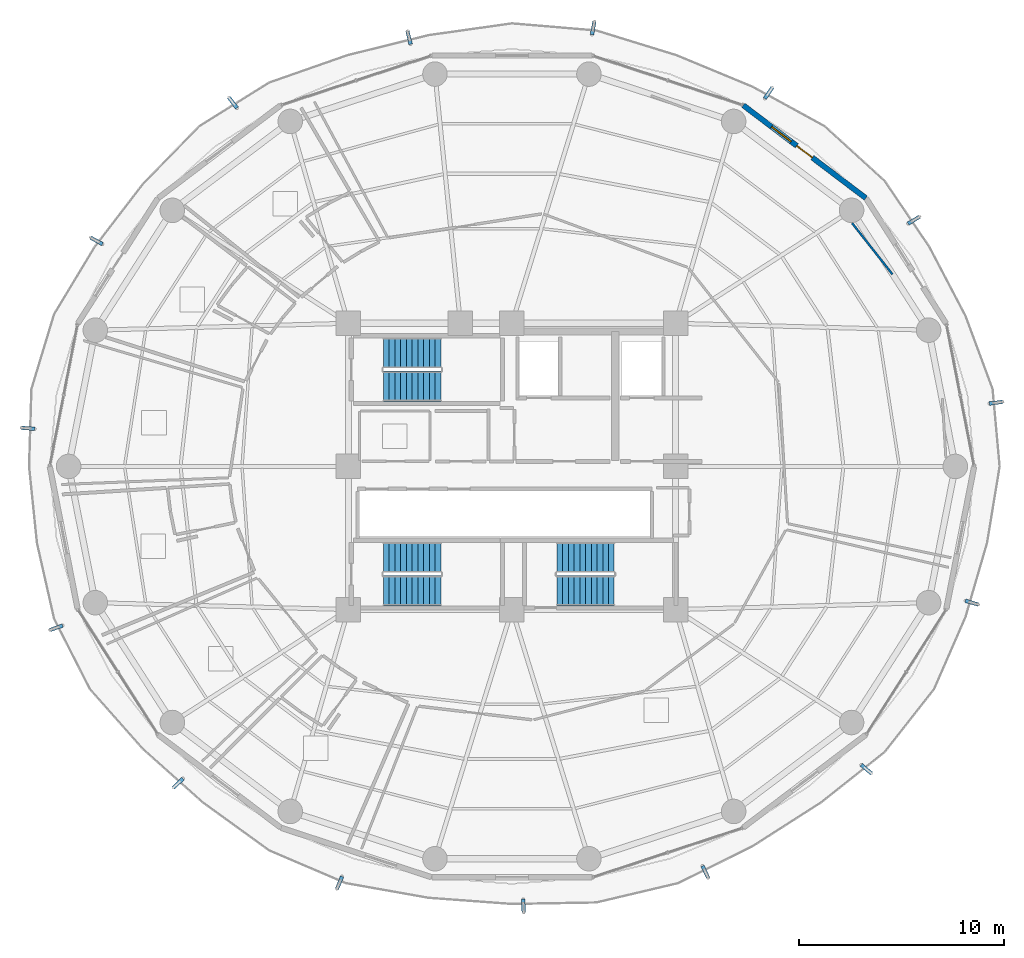
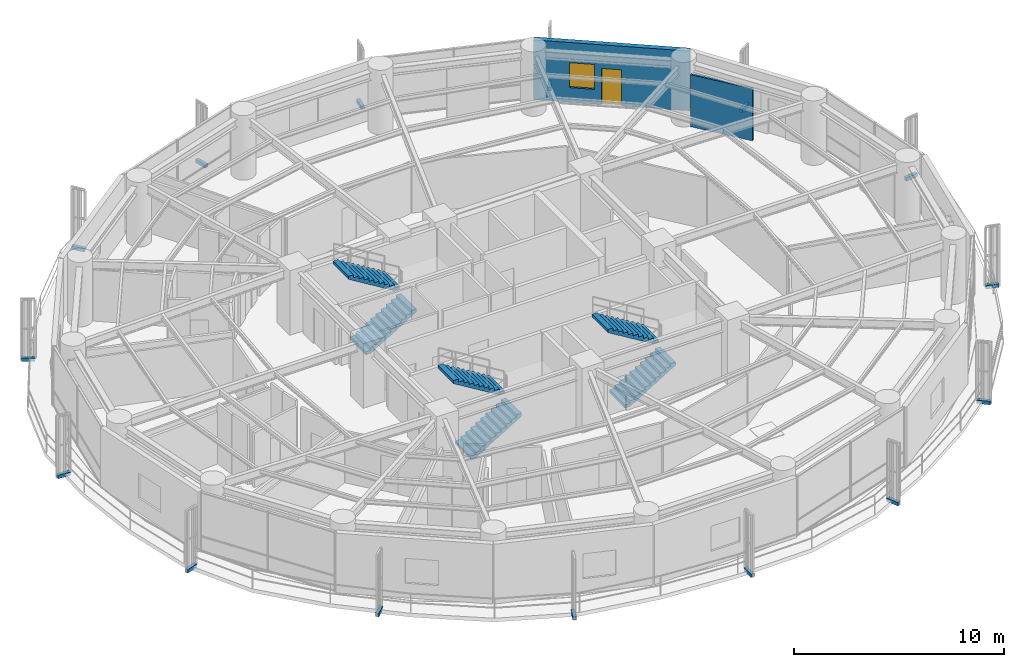
# One storey, part 24 of 27: 15 discrete accessories, 6 stair flights, 2 walls, 1 door, 1 window, 2 openings, 3 elements without a shape of their own.
"""IFC4 building model written with IfcOpenShell, lengths in metres."""

from ifc_helpers import new_model, si_unit, direction, frame, frame_2d, origin, origin_2d, place, context, subcontext, project, spatial, polyline, rectangle, outline, extrude, source, transform, mapped, material, layer, layer_set, type_object, element, fill, aggregate, save


model = new_model("IFC4")

# Units and contexts
model_context = context("Model", 3, precision=1e-05, world=origin(), true_north=direction((0.0, 1.0)))
body_context = subcontext(model_context, "Body", "Model", "MODEL_VIEW")
ifc_project = project(units=[si_unit("LENGTHUNIT", "METRE"), si_unit("AREAUNIT", "SQUARE_METRE"), si_unit("VOLUMEUNIT", "CUBIC_METRE"), si_unit("PLANEANGLEUNIT", "RADIAN"), si_unit("MASSUNIT", "GRAM", prefix="KILO")], contexts=[model_context])

# Site, building, storey
site_placement = place(None, origin())
site = spatial("IfcSite", under=ifc_project, at=site_placement, CompositionType="ELEMENT")
building_placement = place(site_placement, origin())
building = spatial("IfcBuilding", under=site, at=building_placement, Name="Kelanora Arch Commons", CompositionType="ELEMENT")
storey_placement = place(building_placement, frame((0.0, 0.0, 150.60009765625)))
storey = spatial("IfcBuildingStorey", under=building, at=storey_placement, Name="L38", CompositionType="ELEMENT", Elevation=150.60009765625)

# Wall, openings, door, window
ifc_material_1 = material(Name="Precast concrete C40/50 with terracotta rainscreen", Category="masonry")
ifc_layer_1 = layer(ifc_material_1, 0.260009765625)
ifc_layer_set_1 = layer_set([ifc_layer_1], Name="Precast concrete C40/50 with terracotta rainscreen")
wall_type_1 = type_object("IfcWallType", Name="W-EXT-TC", PredefinedType="SOLIDWALL", material=ifc_layer_set_1)
wall_1_placement = place(storey_placement, frame((91.300537109375, 71.1220703125, 0.0), z_axis=(0.0, 0.0, 1.0), x_axis=(-0.797163719609, 0.603763202042, 0.0)))
wall_1 = element("IfcWall", 1, at=wall_1_placement, inside=storey, type_object=wall_type_1, Name="Terracotta Exterior Wall L38-B02", PredefinedType="SOLIDWALL", context=body_context, shape_type="SweptSolid", body=[
    extrude(rectangle(XDim=7.51220703125, YDim=0.260009765625, at=frame_2d((3.756103515625, 0.0))), origin(), (0.0, 0.0, 1.0), 3.474853515625),
])
opening_1_placement = place(wall_1_placement, frame((3.281005859375, 0.0, 0.0)))
opening_1 = element("IfcOpeningElement", 2, at=opening_1_placement, cuts=wall_1, Name="Opening DB-01", PredefinedType="OPENING", context=body_context, shape_type="SweptSolid", body=[
    extrude(rectangle(XDim=0.949951171875, YDim=2.10009765625, at=frame_2d((0.47509765625, 1.050048828125))), frame((0.0, 0.14013671875, 0.0), z_axis=(0.0, -1.0, 0.0), x_axis=(1.0, 0.0, 0.0)), (0.0, 0.0, 1.0), 0.280029296875),
])
opening_2_placement = place(wall_1_placement, frame((4.5810546875, 0.0, 0.85009765625)))
opening_2 = element("IfcOpeningElement", 3, at=opening_2_placement, cuts=wall_1, Name="Opening WN-02", PredefinedType="OPENING", context=body_context, shape_type="SweptSolid", body=[
    extrude(rectangle(XDim=1.199951171875, YDim=1.449951171875, at=frame_2d((0.60009765625, 0.72509765625))), frame((0.0, 0.14013671875, 0.0), z_axis=(0.0, -1.0, 0.0), x_axis=(1.0, 0.0, 0.0)), (0.0, 0.0, 1.0), 0.280029296875),
])
ifc_material_2 = material(Name="Terracotta-aluminium thermally broken glazed balcony door", Category="masonry")
door_type = type_object("IfcDoorType", Name="D-BAL-10", OperationType="NOTDEFINED", PredefinedType="DOOR", material=ifc_material_2)
door_placement = place(opening_1_placement, frame((0.949951171875, 0.0, 0.0), z_axis=(0.0, 0.0, 1.0), x_axis=(-1.0, 0.0, 0.0)))
door = element("IfcDoor", 4, at=door_placement, inside=storey, type_object=door_type, Name="Wave Balcony Door L38-B02", OperationType="SINGLE_SWING_LEFT", OverallHeight=2.10009765625, OverallWidth=0.949951171875, PredefinedType="DOOR", context=body_context, shape_type="SweptSolid", body=[
    extrude(rectangle(XDim=0.949951171875, YDim=2.10009765625, at=frame_2d((0.47509765625, 1.050048828125))), frame((0.0, 0.02490234375, 0.0), z_axis=(0.0, -1.0, 0.0), x_axis=(1.0, 0.0, 0.0)), (0.0, 0.0, 1.0), 0.050048828125),
])
fill(opening_1, door)
ifc_material_3 = material(Name="Terracotta-anodised aluminium frame with operable awning sash", Category="masonry")
window_type = type_object("IfcWindowType", Name="WIN-CL-12", PartitioningType="SINGLE_PANEL", PredefinedType="WINDOW", material=ifc_material_3)
window_placement = place(opening_2_placement, origin())
window = element("IfcWindow", 5, at=window_placement, inside=storey, type_object=window_type, Name="Co-Living Operable Window L38-B02", OverallHeight=1.449951171875, OverallWidth=1.199951171875, PartitioningType="SINGLE_PANEL", PredefinedType="WINDOW", context=body_context, shape_type="SweptSolid", body=[
    extrude(rectangle(XDim=1.199951171875, YDim=1.449951171875, at=frame_2d((0.60009765625, 0.72509765625))), frame((0.0, 0.030029296875, 0.0), z_axis=(0.0, -1.0, 0.0), x_axis=(1.0, 0.0, 0.0)), (0.0, 0.0, 1.0), 0.06005859375),
])
fill(opening_2, window)

# Wall
ifc_material_4 = material(Name="Lightweight fire-rated acoustic stud partition")
ifc_layer_2 = layer(ifc_material_4, 0.10009765625)
ifc_layer_set_2 = layer_set([ifc_layer_2], Name="Lightweight fire-rated acoustic stud partition")
wall_type_2 = type_object("IfcWallType", Name="W-PART-100", PredefinedType="PARTITIONING", material=ifc_layer_set_2)
wall_2_placement = place(storey_placement, frame((90.6318359375, 69.89697265625, 0.0), z_axis=(0.0, 0.0, 1.0), x_axis=(0.619174528799, -0.78525340043, 0.0)))
element("IfcWall", 6, at=wall_2_placement, inside=storey, type_object=wall_type_2, Name="North-East Shared Cluster Kitchen L38 Enclosure Partition 8", PredefinedType="PARTITIONING", context=body_context, shape_type="SweptSolid", body=[
    extrude(rectangle(XDim=3.185546875, YDim=0.10009765625, at=frame_2d((1.5927734375, 0.0))), origin(), (0.0, 0.0, 1.0), 3.02490234375),
])

# Stair, stair flights
ifc_material_5 = material(Name="Concrete C40/50", Category="concrete")
stair_type = type_object("IfcStairType", Name="STR-DL-375", PredefinedType="HALF_TURN_STAIR", material=ifc_material_5)
stair_1_placement = place(storey_placement, origin())
stair_1 = element("IfcStair", 7, at=stair_1_placement, inside=storey, type_object=stair_type, Name="L38 ST-T1", PredefinedType="HALF_TURN_STAIR")
stair_flight_type = type_object("IfcStairFlightType", Name="FLT-DL-375", PredefinedType="STRAIGHT", material=ifc_material_5)
stair_flight_1_placement = place(storey_placement, frame((67.719970703125, 61.919921875, 0.0), z_axis=(0.0, 0.0, 1.0), x_axis=(1.0, 0.0, 0.0)))
stair_flight_1 = element("IfcStairFlight", 8, at=stair_flight_1_placement, type_object=stair_flight_type, Name="ST-T1 flight 1", NumberOfRisers=11, NumberOfTreads=10, PredefinedType="STRAIGHT", RiserHeight=0.170454545, TreadLength=0.28, context=body_context, shape_type="SweptSolid", body=[
    extrude(outline(polyline([(0.0, 0.0), (0.0, 0.17041015625), (0.280029296875, 0.17041015625), (0.280029296875, 0.3408203125), (0.56005859375, 0.3408203125), (0.56005859375, 0.511474609375), (0.840087890625, 0.511474609375), (0.840087890625, 0.681884765625), (1.1201171875, 0.681884765625), (1.1201171875, 0.852294921875), (1.39990234375, 0.852294921875), (1.39990234375, 1.022705078125), (1.679931640625, 1.022705078125), (1.679931640625, 1.193115234375), (1.9599609375, 1.193115234375), (1.9599609375, 1.363525390625), (2.239990234375, 1.363525390625), (2.239990234375, 1.5341796875), (2.52001953125, 1.5341796875), (2.52001953125, 1.70458984375), (2.800048828125, 1.70458984375), (2.800048828125, 1.875), (2.800048828125, 1.529052734375), (0.288330078125, 0.0), (0.0, 0.0)])), frame((0.0, 0.739990234375, 0.0), z_axis=(0.0, -1.0, 0.0), x_axis=(1.0, 0.0, 0.0)), (0.0, 0.0, 1.0), 1.47998046875),
])
stair_flight_2_placement = place(storey_placement, frame((70.52001953125, 63.550048828125, 1.875), z_axis=(0.0, 0.0, 1.0), x_axis=(-1.0, 0.0, 0.0)))
stair_flight_2 = element("IfcStairFlight", 9, at=stair_flight_2_placement, type_object=stair_flight_type, Name="ST-T1 flight 2", NumberOfRisers=11, NumberOfTreads=10, PredefinedType="STRAIGHT", RiserHeight=0.170454545, TreadLength=0.28, context=body_context, shape_type="SweptSolid", body=[
    extrude(outline(polyline([(0.0, 0.0), (0.0, 0.17041015625), (0.280029296875, 0.17041015625), (0.280029296875, 0.3408203125), (0.56005859375, 0.3408203125), (0.56005859375, 0.511474609375), (0.840087890625, 0.511474609375), (0.840087890625, 0.681884765625), (1.1201171875, 0.681884765625), (1.1201171875, 0.852294921875), (1.39990234375, 0.852294921875), (1.39990234375, 1.022705078125), (1.679931640625, 1.022705078125), (1.679931640625, 1.193115234375), (1.9599609375, 1.193115234375), (1.9599609375, 1.363525390625), (2.239990234375, 1.363525390625), (2.239990234375, 1.5341796875), (2.52001953125, 1.5341796875), (2.52001953125, 1.70458984375), (2.800048828125, 1.70458984375), (2.800048828125, 1.875), (2.800048828125, 1.529052734375), (0.288330078125, 0.0), (0.0, 0.0)])), frame((0.0, 0.739990234375, 0.0), z_axis=(0.0, -1.0, 0.0), x_axis=(1.0, 0.0, 0.0)), (0.0, 0.0, 1.0), 1.47998046875),
])
aggregate(stair_1, [stair_flight_1, stair_flight_2])

stair_2_placement = place(storey_placement, origin())
stair_2 = element("IfcStair", 10, at=stair_2_placement, inside=storey, type_object=stair_type, Name="L38 ST-T2", PredefinedType="HALF_TURN_STAIR")
stair_flight_3_placement = place(storey_placement, frame((76.199951171875, 51.919921875, 0.0), z_axis=(0.0, 0.0, 1.0), x_axis=(1.0, 0.0, 0.0)))
stair_flight_3 = element("IfcStairFlight", 11, at=stair_flight_3_placement, type_object=stair_flight_type, Name="ST-T2 flight 1", NumberOfRisers=11, NumberOfTreads=10, PredefinedType="STRAIGHT", RiserHeight=0.170454545, TreadLength=0.28, context=body_context, shape_type="SweptSolid", body=[
    extrude(outline(polyline([(0.0, 0.0), (0.0, 0.17041015625), (0.280029296875, 0.17041015625), (0.280029296875, 0.3408203125), (0.56005859375, 0.3408203125), (0.56005859375, 0.511474609375), (0.840087890625, 0.511474609375), (0.840087890625, 0.681884765625), (1.1201171875, 0.681884765625), (1.1201171875, 0.852294921875), (1.39990234375, 0.852294921875), (1.39990234375, 1.022705078125), (1.679931640625, 1.022705078125), (1.679931640625, 1.193115234375), (1.9599609375, 1.193115234375), (1.9599609375, 1.363525390625), (2.239990234375, 1.363525390625), (2.239990234375, 1.5341796875), (2.52001953125, 1.5341796875), (2.52001953125, 1.70458984375), (2.800048828125, 1.70458984375), (2.800048828125, 1.875), (2.800048828125, 1.529052734375), (0.288330078125, 0.0), (0.0, 0.0)])), frame((0.0, 0.739990234375, 0.0), z_axis=(0.0, -1.0, 0.0), x_axis=(1.0, 0.0, 0.0)), (0.0, 0.0, 1.0), 1.47998046875),
])
stair_flight_4_placement = place(storey_placement, frame((79.0, 53.550048828125, 1.875), z_axis=(0.0, 0.0, 1.0), x_axis=(-1.0, 0.0, 0.0)))
stair_flight_4 = element("IfcStairFlight", 12, at=stair_flight_4_placement, type_object=stair_flight_type, Name="ST-T2 flight 2", NumberOfRisers=11, NumberOfTreads=10, PredefinedType="STRAIGHT", RiserHeight=0.170454545, TreadLength=0.28, context=body_context, shape_type="SweptSolid", body=[
    extrude(outline(polyline([(0.0, 0.0), (0.0, 0.17041015625), (0.280029296875, 0.17041015625), (0.280029296875, 0.3408203125), (0.56005859375, 0.3408203125), (0.56005859375, 0.511474609375), (0.840087890625, 0.511474609375), (0.840087890625, 0.681884765625), (1.1201171875, 0.681884765625), (1.1201171875, 0.852294921875), (1.39990234375, 0.852294921875), (1.39990234375, 1.022705078125), (1.679931640625, 1.022705078125), (1.679931640625, 1.193115234375), (1.9599609375, 1.193115234375), (1.9599609375, 1.363525390625), (2.239990234375, 1.363525390625), (2.239990234375, 1.5341796875), (2.52001953125, 1.5341796875), (2.52001953125, 1.70458984375), (2.800048828125, 1.70458984375), (2.800048828125, 1.875), (2.800048828125, 1.529052734375), (0.288330078125, 0.0), (0.0, 0.0)])), frame((0.0, 0.739990234375, 0.0), z_axis=(0.0, -1.0, 0.0), x_axis=(1.0, 0.0, 0.0)), (0.0, 0.0, 1.0), 1.47998046875),
])
aggregate(stair_2, [stair_flight_3, stair_flight_4])

stair_3_placement = place(storey_placement, origin())
stair_3 = element("IfcStair", 13, at=stair_3_placement, inside=storey, type_object=stair_type, Name="L38 ST-T3", PredefinedType="HALF_TURN_STAIR")
stair_flight_5_placement = place(storey_placement, frame((67.719970703125, 51.919921875, 0.0), z_axis=(0.0, 0.0, 1.0), x_axis=(1.0, 0.0, 0.0)))
stair_flight_5 = element("IfcStairFlight", 14, at=stair_flight_5_placement, type_object=stair_flight_type, Name="ST-T3 flight 1", NumberOfRisers=11, NumberOfTreads=10, PredefinedType="STRAIGHT", RiserHeight=0.170454545, TreadLength=0.28, context=body_context, shape_type="SweptSolid", body=[
    extrude(outline(polyline([(0.0, 0.0), (0.0, 0.17041015625), (0.280029296875, 0.17041015625), (0.280029296875, 0.3408203125), (0.56005859375, 0.3408203125), (0.56005859375, 0.511474609375), (0.840087890625, 0.511474609375), (0.840087890625, 0.681884765625), (1.1201171875, 0.681884765625), (1.1201171875, 0.852294921875), (1.39990234375, 0.852294921875), (1.39990234375, 1.022705078125), (1.679931640625, 1.022705078125), (1.679931640625, 1.193115234375), (1.9599609375, 1.193115234375), (1.9599609375, 1.363525390625), (2.239990234375, 1.363525390625), (2.239990234375, 1.5341796875), (2.52001953125, 1.5341796875), (2.52001953125, 1.70458984375), (2.800048828125, 1.70458984375), (2.800048828125, 1.875), (2.800048828125, 1.529052734375), (0.288330078125, 0.0), (0.0, 0.0)])), frame((0.0, 0.739990234375, 0.0), z_axis=(0.0, -1.0, 0.0), x_axis=(1.0, 0.0, 0.0)), (0.0, 0.0, 1.0), 1.47998046875),
])
stair_flight_6_placement = place(storey_placement, frame((70.52001953125, 53.550048828125, 1.875), z_axis=(0.0, 0.0, 1.0), x_axis=(-1.0, 0.0, 0.0)))
stair_flight_6 = element("IfcStairFlight", 15, at=stair_flight_6_placement, type_object=stair_flight_type, Name="ST-T3 flight 2", NumberOfRisers=11, NumberOfTreads=10, PredefinedType="STRAIGHT", RiserHeight=0.170454545, TreadLength=0.28, context=body_context, shape_type="SweptSolid", body=[
    extrude(outline(polyline([(0.0, 0.0), (0.0, 0.17041015625), (0.280029296875, 0.17041015625), (0.280029296875, 0.3408203125), (0.56005859375, 0.3408203125), (0.56005859375, 0.511474609375), (0.840087890625, 0.511474609375), (0.840087890625, 0.681884765625), (1.1201171875, 0.681884765625), (1.1201171875, 0.852294921875), (1.39990234375, 0.852294921875), (1.39990234375, 1.022705078125), (1.679931640625, 1.022705078125), (1.679931640625, 1.193115234375), (1.9599609375, 1.193115234375), (1.9599609375, 1.363525390625), (2.239990234375, 1.363525390625), (2.239990234375, 1.5341796875), (2.52001953125, 1.5341796875), (2.52001953125, 1.70458984375), (2.800048828125, 1.70458984375), (2.800048828125, 1.875), (2.800048828125, 1.529052734375), (0.288330078125, 0.0), (0.0, 0.0)])), frame((0.0, 0.739990234375, 0.0), z_axis=(0.0, -1.0, 0.0), x_axis=(1.0, 0.0, 0.0)), (0.0, 0.0, 1.0), 1.47998046875),
])
aggregate(stair_3, [stair_flight_5, stair_flight_6])

# Discrete accessories
ifc_material_6 = material(Name="Stainless steel 316 marine fin bracket", Category="steel")
discrete_accessory_type = type_object("IfcDiscreteAccessoryType", Name="ACC-FIN-BRK", PredefinedType="BRACKET", material=ifc_material_6)
shared_shape = source(origin(), body_context, "Body", "SweptSolid", [
    extrude(rectangle(XDim=0.655517578125, YDim=0.179931640625, at=origin_2d()), origin(), (0.0, 0.0, 1.0), 0.199951171875),
])
for number, where, z_axis, x_axis, name in (
    (16, (97.666748046875, 61.115478515625, -0.16015625), (0.0, 0.0, 1.0), (0.991444861374, 0.13052619222, 0.0), "Sweeping Fin Cantilever Spine Bracket L38-00"),
    (17, (93.650634765625, 70.041259765625, -0.16015625), (0.0, 0.0, 1.0), (0.852640164354, 0.522498564716, 0.0), "Sweeping Fin Cantilever Spine Bracket L38-01"),
    (18, (86.549072265625, 76.25830078125, -0.16015625), (0.0, 0.0, 1.0), (0.566406236925, 0.824126188622, 0.0), "Sweeping Fin Cantilever Spine Bracket L38-02"),
    (19, (77.973388671875, 79.4375, -0.16015625), (0.0, 0.0, 1.0), (0.182235525492, 0.983254907564, 0.0), "Sweeping Fin Cantilever Spine Bracket L38-03"),
    (20, (68.96728515625, 78.964599609375, -0.16015625), (0.0, 0.0, 1.0), (-0.233445363856, 0.972369920398, 0.0), "Sweeping Fin Cantilever Spine Bracket L38-04"),
    (21, (60.3515625, 75.78759765625, -0.16015625), (0.0, 0.0, 1.0), (-0.608761429009, 0.793353340291, 0.0), "Sweeping Fin Cantilever Spine Bracket L38-05"),
    (22, (53.686279296875, 69.02978515625, -0.16015625), (0.0, 0.0, 1.0), (-0.878817112662, 0.47715876026, 0.0), "Sweeping Fin Cantilever Spine Bracket L38-06"),
    (23, (50.337158203125, 59.86279296875, -0.16015625), (0.0, 0.0, 1.0), (-0.996917333733, 0.078459095728, 0.0), "Sweeping Fin Cantilever Spine Bracket L38-07"),
    (24, (51.71826171875, 50.110107421875, -0.16015625), (0.0, 0.0, 1.0), (-0.942641491092, -0.333806859234, 0.0), "Sweeping Fin Cantilever Spine Bracket L38-08"),
    (25, (57.676513671875, 42.510009765625, -0.16015625), (0.0, 0.0, 1.0), (-0.725374371012, -0.688354575694, 0.0), "Sweeping Fin Cantilever Spine Bracket L38-09"),
    (26, (65.567626953125, 37.643310546875, -0.16015625), (0.0, 0.0, 1.0), (-0.382683432365, -0.923879532511, 0.0), "Sweeping Fin Cantilever Spine Bracket L38-10"),
    (27, (74.562255859375, 36.51220703125, -0.16015625), (0.0, 0.0, 1.0), (0.026176948308, -0.999657324976, 0.0), "Sweeping Fin Cantilever Spine Bracket L38-11"),
    (28, (83.457763671875, 38.17041015625, -0.16015625), (0.0, 0.0, 1.0), (0.430511096808, -0.90258528435, 0.0), "Sweeping Fin Cantilever Spine Bracket L38-12"),
    (29, (91.330810546875, 43.197509765625, -0.16015625), (0.0, 0.0, 1.0), (0.7604059656, -0.64944804833, 0.0), "Sweeping Fin Cantilever Spine Bracket L38-13"),
    (30, (96.488525390625, 51.338134765625, -0.16015625), (0.0, 0.0, 1.0), (0.958819734868, -0.284015344704, 0.0), "Sweeping Fin Cantilever Spine Bracket L38-14"),
):
    element("IfcDiscreteAccessory", number, at=place(storey_placement, frame(where, z_axis=z_axis, x_axis=x_axis)), inside=storey, type_object=discrete_accessory_type, Name=name, PredefinedType="BRACKET", context=body_context, shape_type="MappedRepresentation", body=[
        mapped(shared_shape, transform((0.0, 0.0, 0.0), scale=1.0)),
    ])

save(model, "model.ifc")
